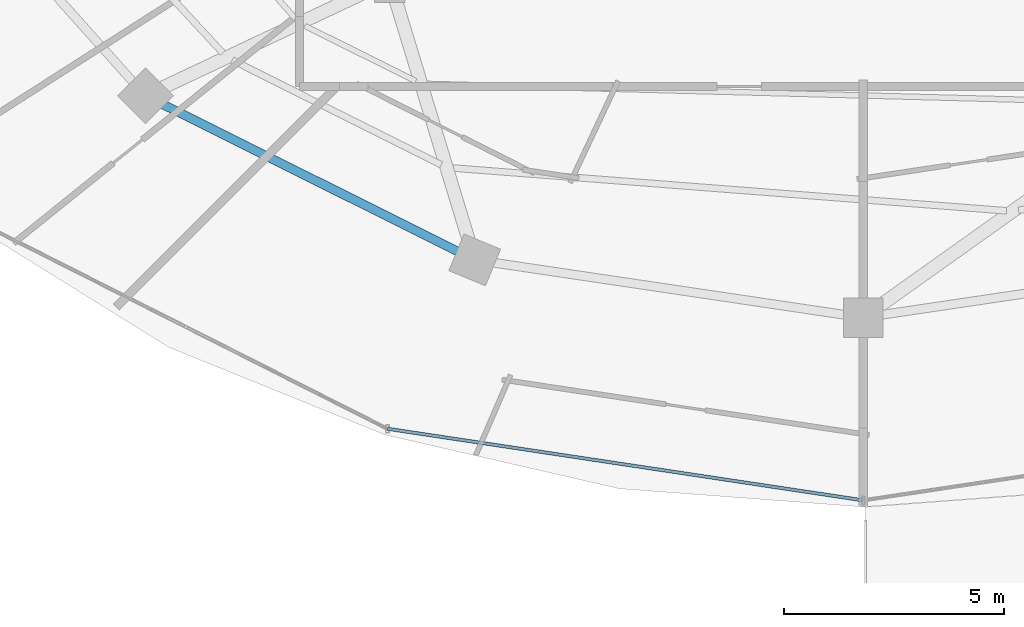
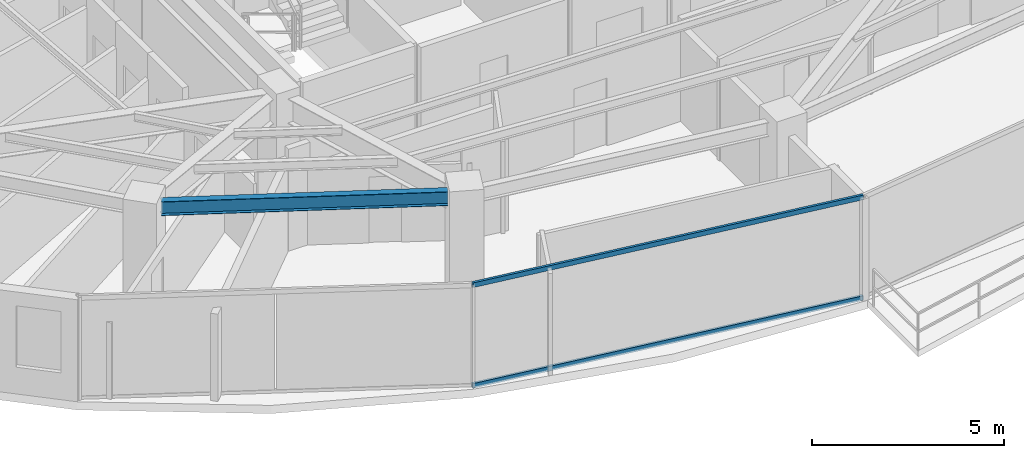
# One storey, part 4 of 31: 2 members, 1 beam, 1 element without a shape of its own.
"""IFC4 building model written with IfcOpenShell, lengths in metres."""

from ifc_helpers import new_model, si_unit, direction, frame, origin, origin_2d, place, context, subcontext, project, spatial, hollow_rectangle, i_section, extrude, material, material_profile, profile_set, type_object, element, aggregate, save


model = new_model("IFC4")

# Units and contexts
model_context = context("Model", 3, precision=1e-05, world=origin(), true_north=direction((0.0, 1.0)))
body_context = subcontext(model_context, "Body", "Model", "MODEL_VIEW")
ifc_project = project(units=[si_unit("LENGTHUNIT", "METRE"), si_unit("AREAUNIT", "SQUARE_METRE"), si_unit("VOLUMEUNIT", "CUBIC_METRE"), si_unit("PLANEANGLEUNIT", "RADIAN"), si_unit("MASSUNIT", "GRAM", prefix="KILO")], contexts=[model_context])

# Site, building, storey
site_placement = place(None, origin())
site = spatial("IfcSite", under=ifc_project, at=site_placement, CompositionType="ELEMENT")
building_placement = place(site_placement, origin())
building = spatial("IfcBuilding", under=site, at=building_placement, Name="Vorneva Point Tower", CompositionType="ELEMENT")
storey_placement = place(building_placement, frame((0.0, 0.0, 193.10009765625)))
storey = spatial("IfcBuildingStorey", under=building, at=storey_placement, Name="L52", CompositionType="ELEMENT", Elevation=193.10009765625)

# Beam
ifc_material_1 = material(Name="Steel S355", Category="steel")
ifc_material_profile_1 = material_profile(ifc_material_1, i_section(OverallWidth=0.198974609375, OverallDepth=0.446044921875, WebThickness=0.008056640625, FlangeThickness=0.011962890625, at=origin_2d()), Name="45B1")
ifc_profile_set_1 = profile_set([ifc_material_profile_1], Name="Steel S355")
beam_type = type_object("IfcBeamType", Name="BM-SPN-45B1", PredefinedType="SPANDREL", material=ifc_profile_set_1)
beam_placement = place(storey_placement, frame((22.090576171875, 13.643798828125, 3.016845703125), z_axis=(0.894922371084, -0.446221861559, 0.0), x_axis=(0.446221861559, 0.894922371084, 0.0)))
element("IfcBeam", 1, at=beam_placement, inside=storey, type_object=beam_type, Name="L52 Perimeter Spandrel Ring Beam 11", PredefinedType="SPANDREL", context=body_context, shape_type="SweptSolid", body=[
    extrude(i_section(OverallWidth=0.198974609375, OverallDepth=0.446044921875, WebThickness=0.008056640625, FlangeThickness=0.011962890625, at=origin_2d()), origin(), (0.0, 0.0, 1.0), 7.48583984375),
])

# Curtain wall, members
ifc_material_2 = material(Name="Pale anodised aluminium", Category="aluminium")
curtain_wall_type = type_object("IfcCurtainWallType", Name="CW-RES-SYS", PredefinedType="NOTDEFINED", material=ifc_material_2)
curtain_wall_placement = place(storey_placement, origin())
curtain_wall = element("IfcCurtainWall", 2, at=curtain_wall_placement, inside=storey, type_object=curtain_wall_type, Name="L52 Unitised Curtain Wall CW-L52-R04", PredefinedType="NOTDEFINED")
ifc_material_profile_2 = material_profile(ifc_material_2, hollow_rectangle(XDim=0.074951171875, YDim=0.14990234375, WallThickness=0.00390625, at=origin_2d()), Name="AL-TRN 150x75x4")
ifc_profile_set_2 = profile_set([ifc_material_profile_2], Name="Pale anodised aluminium")
member_type = type_object("IfcMemberType", Name="CW-TRN-150", PredefinedType="USERDEFINED", material=ifc_profile_set_2)
member_1_placement = place(storey_placement, frame((27.19677734375, 6.275146484375, 0.02001953125), z_axis=(0.988872333273, -0.148766624239, 0.0), x_axis=(0.148766624239, 0.988872333273, 0.0)))
member_1 = element("IfcMember", 3, at=member_1_placement, type_object=member_type, Name="CW-L52-R04 Transom 02.1", ObjectType="TRANSOM", PredefinedType="USERDEFINED", context=body_context, shape_type="SweptSolid", body=[
    extrude(hollow_rectangle(XDim=0.074951171875, YDim=0.14990234375, WallThickness=0.00390625, at=origin_2d()), origin(), (0.0, 0.0, 1.0), 10.9248046875),
])
member_2_placement = place(storey_placement, frame((27.19677734375, 6.275146484375, 3.219970703125), z_axis=(0.988872333273, -0.148766624239, 0.0), x_axis=(0.148766624239, 0.988872333273, 0.0)))
member_2 = element("IfcMember", 4, at=member_2_placement, type_object=member_type, Name="CW-L52-R04 Transom 02.2", ObjectType="TRANSOM", PredefinedType="USERDEFINED", context=body_context, shape_type="SweptSolid", body=[
    extrude(hollow_rectangle(XDim=0.074951171875, YDim=0.14990234375, WallThickness=0.00390625, at=origin_2d()), origin(), (0.0, 0.0, 1.0), 10.9248046875),
])
aggregate(curtain_wall, [member_1, member_2])

save(model, "model.ifc")
